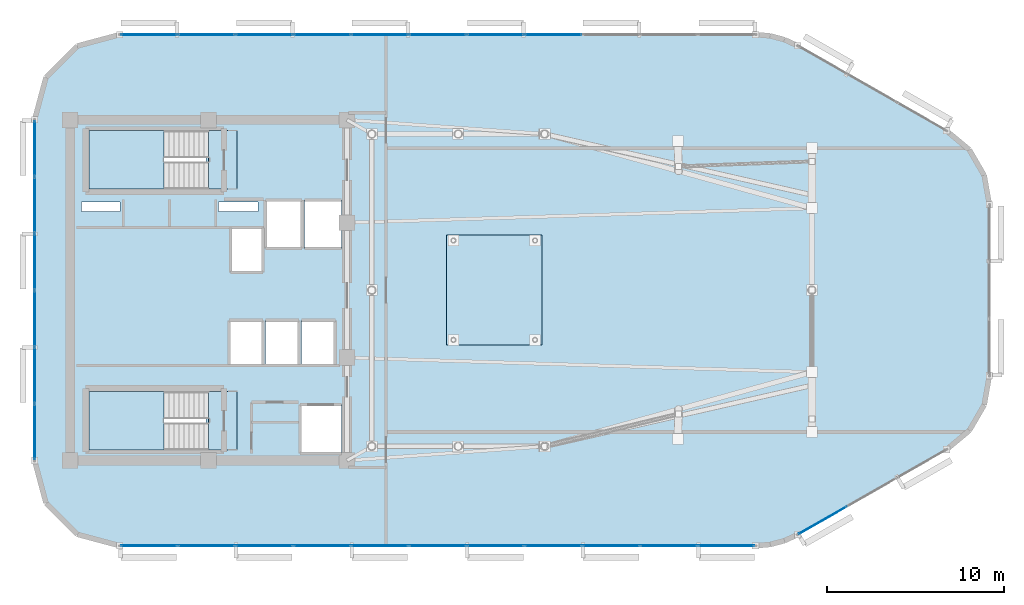
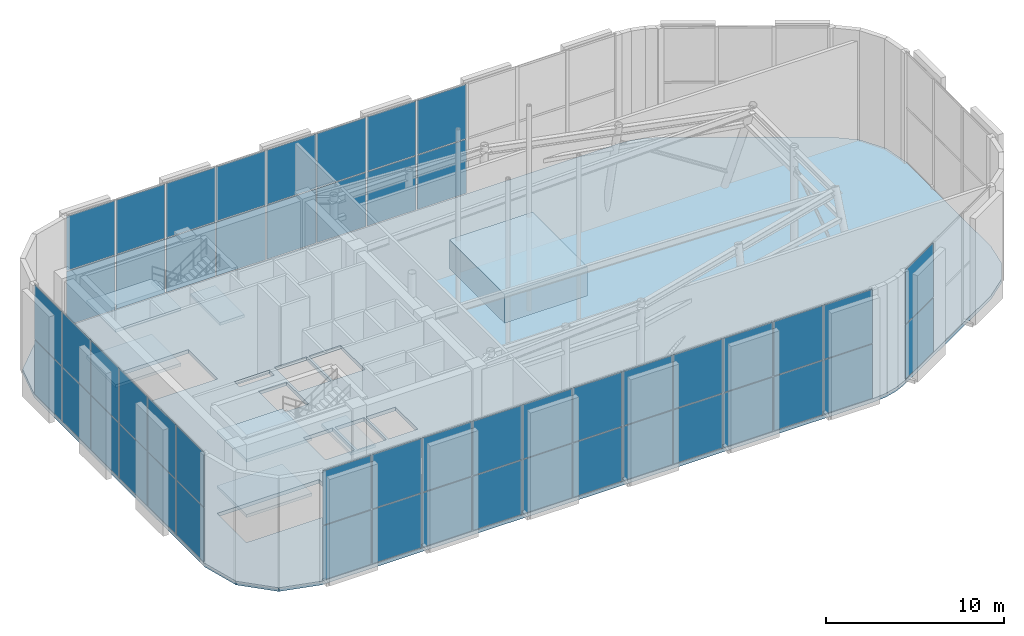
# One storey, part 17 of 22: 53 plates, 7 slabs, 6 elements without a shape of their own.
"""IFC4 building model written with IfcOpenShell, lengths in metres."""

from ifc_helpers import new_model, si_unit, direction, frame, origin, origin_2d, place, context, subcontext, project, spatial, polyline, rectangle, outline, extrude, material, layer, layer_set, type_object, element, aggregate, save


model = new_model("IFC4")

# Units and contexts
model_context = context("Model", 3, precision=1e-05, world=origin(), true_north=direction((0.0, 1.0)))
body_context = subcontext(model_context, "Body", "Model", "MODEL_VIEW")
ifc_project = project(units=[si_unit("LENGTHUNIT", "METRE"), si_unit("AREAUNIT", "SQUARE_METRE"), si_unit("VOLUMEUNIT", "CUBIC_METRE"), si_unit("PLANEANGLEUNIT", "RADIAN"), si_unit("MASSUNIT", "GRAM", prefix="KILO")], contexts=[model_context])

# Site, building, storey
site_placement = place(None, origin())
site = spatial("IfcSite", under=ifc_project, at=site_placement, CompositionType="ELEMENT")
building_placement = place(site_placement, origin())
building = spatial("IfcBuilding", under=site, at=building_placement, Name="An Khanh Terracotta Commons", CompositionType="ELEMENT")
storey_placement = place(building_placement, frame((0.0, 0.0, 300.39990234375)))
storey = spatial("IfcBuildingStorey", under=building, at=storey_placement, Name="L78 Crown Damper Chamber", CompositionType="ELEMENT", Elevation=300.39990234375)

# Curtain wall, plates
ifc_material_1 = material(Name="Anodised Aluminium 6063-T6", Category="aluminium")
ifc_layer_1 = layer(ifc_material_1, 0.25, Name="Anodised Aluminium 6063-T6")
ifc_layer_set_1 = layer_set([ifc_layer_1], Name="Anodised Aluminium 6063-T6")
curtain_wall_type = type_object("IfcCurtainWallType", Name="CW-SYS-05", PredefinedType="USERDEFINED", material=ifc_layer_set_1)
curtain_wall_1_placement = place(storey_placement, origin())
curtain_wall_1 = element("IfcCurtainWall", 1, at=curtain_wall_1_placement, inside=storey, type_object=curtain_wall_type, Name="L78 Crown Damper Chamber CW-05 Unitised Curtain Wall CW-L78-04", ObjectType="UNITISED CURTAIN WALL", PredefinedType="USERDEFINED")
ifc_material_2 = material(Name="Translucent Backlit Opal Insulated Glass", Category="glass")
ifc_layer_2 = layer(ifc_material_2, 0.0439453125, Name="Translucent Backlit Opal Insulated Glass")
ifc_layer_set_2 = layer_set([ifc_layer_2], Name="Translucent Backlit Opal Insulated Glass")
plate_type_1 = type_object("IfcPlateType", Name="CWP-OPAL-44", PredefinedType="CURTAIN_PANEL", material=ifc_layer_set_2)
plate_1_placement = place(storey_placement, frame((26.04833984375, 9.60009765625, 0.06005859375), z_axis=(0.0, 0.0, 1.0), x_axis=(1.0, 0.0, 0.0)))
plate_1 = element("IfcPlate", 2, at=plate_1_placement, type_object=plate_type_1, Name="CW-05 panel 1.1", PredefinedType="CURTAIN_PANEL", context=body_context, shape_type="SweptSolid", body=[
    extrude(rectangle(XDim=3.13671875, YDim=0.0439453125, at=origin_2d()), origin(), (0.0, 0.0, 1.0), 3.7099609375),
])
plate_2_placement = place(storey_placement, frame((26.04833984375, 9.60009765625, 3.830078125), z_axis=(0.0, 0.0, 1.0), x_axis=(1.0, 0.0, 0.0)))
plate_2 = element("IfcPlate", 3, at=plate_2_placement, type_object=plate_type_1, Name="CW-05 panel 1.2", PredefinedType="CURTAIN_PANEL", context=body_context, shape_type="SweptSolid", body=[
    extrude(rectangle(XDim=3.13671875, YDim=0.0439453125, at=origin_2d()), origin(), (0.0, 0.0, 1.0), 3.7099609375),
])
plate_3_placement = place(storey_placement, frame((29.28515625, 9.60009765625, 0.06005859375), z_axis=(0.0, 0.0, 1.0), x_axis=(1.0, 0.0, 0.0)))
plate_3 = element("IfcPlate", 4, at=plate_3_placement, type_object=plate_type_1, Name="CW-05 panel 2.1", PredefinedType="CURTAIN_PANEL", context=body_context, shape_type="SweptSolid", body=[
    extrude(rectangle(XDim=3.1767578125, YDim=0.0439453125, at=origin_2d()), origin(), (0.0, 0.0, 1.0), 3.7099609375),
])
plate_4_placement = place(storey_placement, frame((29.28515625, 9.60009765625, 3.830078125), z_axis=(0.0, 0.0, 1.0), x_axis=(1.0, 0.0, 0.0)))
plate_4 = element("IfcPlate", 5, at=plate_4_placement, type_object=plate_type_1, Name="CW-05 panel 2.2", PredefinedType="CURTAIN_PANEL", context=body_context, shape_type="SweptSolid", body=[
    extrude(rectangle(XDim=3.1767578125, YDim=0.0439453125, at=origin_2d()), origin(), (0.0, 0.0, 1.0), 3.7099609375),
])
plate_5_placement = place(storey_placement, frame((32.5419921875, 9.60009765625, 0.06005859375), z_axis=(0.0, 0.0, 1.0), x_axis=(1.0, 0.0, 0.0)))
plate_5 = element("IfcPlate", 6, at=plate_5_placement, type_object=plate_type_1, Name="CW-05 panel 3.1", PredefinedType="CURTAIN_PANEL", context=body_context, shape_type="SweptSolid", body=[
    extrude(rectangle(XDim=3.1767578125, YDim=0.0439453125, at=origin_2d()), origin(), (0.0, 0.0, 1.0), 3.7099609375),
])
plate_6_placement = place(storey_placement, frame((32.5419921875, 9.60009765625, 3.830078125), z_axis=(0.0, 0.0, 1.0), x_axis=(1.0, 0.0, 0.0)))
plate_6 = element("IfcPlate", 7, at=plate_6_placement, type_object=plate_type_1, Name="CW-05 panel 3.2", PredefinedType="CURTAIN_PANEL", context=body_context, shape_type="SweptSolid", body=[
    extrude(rectangle(XDim=3.1767578125, YDim=0.0439453125, at=origin_2d()), origin(), (0.0, 0.0, 1.0), 3.7099609375),
])
plate_7_placement = place(storey_placement, frame((35.798828125, 9.60009765625, 0.06005859375), z_axis=(0.0, 0.0, 1.0), x_axis=(1.0, 0.0, 0.0)))
plate_7 = element("IfcPlate", 8, at=plate_7_placement, type_object=plate_type_1, Name="CW-05 panel 4.1", PredefinedType="CURTAIN_PANEL", context=body_context, shape_type="SweptSolid", body=[
    extrude(rectangle(XDim=3.1767578125, YDim=0.0439453125, at=origin_2d()), origin(), (0.0, 0.0, 1.0), 3.7099609375),
])
plate_8_placement = place(storey_placement, frame((35.798828125, 9.60009765625, 3.830078125), z_axis=(0.0, 0.0, 1.0), x_axis=(1.0, 0.0, 0.0)))
plate_8 = element("IfcPlate", 9, at=plate_8_placement, type_object=plate_type_1, Name="CW-05 panel 4.2", PredefinedType="CURTAIN_PANEL", context=body_context, shape_type="SweptSolid", body=[
    extrude(rectangle(XDim=3.1767578125, YDim=0.0439453125, at=origin_2d()), origin(), (0.0, 0.0, 1.0), 3.7099609375),
])
plate_9_placement = place(storey_placement, frame((39.0556640625, 9.60009765625, 0.06005859375), z_axis=(0.0, 0.0, 1.0), x_axis=(1.0, 0.0, 0.0)))
plate_9 = element("IfcPlate", 10, at=plate_9_placement, type_object=plate_type_1, Name="CW-05 panel 5.1", PredefinedType="CURTAIN_PANEL", context=body_context, shape_type="SweptSolid", body=[
    extrude(rectangle(XDim=3.1767578125, YDim=0.0439453125, at=origin_2d()), origin(), (0.0, 0.0, 1.0), 3.7099609375),
])
plate_10_placement = place(storey_placement, frame((39.0556640625, 9.60009765625, 3.830078125), z_axis=(0.0, 0.0, 1.0), x_axis=(1.0, 0.0, 0.0)))
plate_10 = element("IfcPlate", 11, at=plate_10_placement, type_object=plate_type_1, Name="CW-05 panel 5.2", PredefinedType="CURTAIN_PANEL", context=body_context, shape_type="SweptSolid", body=[
    extrude(rectangle(XDim=3.1767578125, YDim=0.0439453125, at=origin_2d()), origin(), (0.0, 0.0, 1.0), 3.7099609375),
])
plate_11_placement = place(storey_placement, frame((42.3125, 9.60009765625, 0.06005859375), z_axis=(0.0, 0.0, 1.0), x_axis=(1.0, 0.0, 0.0)))
plate_11 = element("IfcPlate", 12, at=plate_11_placement, type_object=plate_type_1, Name="CW-05 panel 6.1", PredefinedType="CURTAIN_PANEL", context=body_context, shape_type="SweptSolid", body=[
    extrude(rectangle(XDim=3.1767578125, YDim=0.0439453125, at=origin_2d()), origin(), (0.0, 0.0, 1.0), 3.7099609375),
])
plate_12_placement = place(storey_placement, frame((42.3125, 9.60009765625, 3.830078125), z_axis=(0.0, 0.0, 1.0), x_axis=(1.0, 0.0, 0.0)))
plate_12 = element("IfcPlate", 13, at=plate_12_placement, type_object=plate_type_1, Name="CW-05 panel 6.2", PredefinedType="CURTAIN_PANEL", context=body_context, shape_type="SweptSolid", body=[
    extrude(rectangle(XDim=3.1767578125, YDim=0.0439453125, at=origin_2d()), origin(), (0.0, 0.0, 1.0), 3.7099609375),
])
plate_13_placement = place(storey_placement, frame((45.5693359375, 9.60009765625, 0.06005859375), z_axis=(0.0, 0.0, 1.0), x_axis=(1.0, 0.0, 0.0)))
plate_13 = element("IfcPlate", 14, at=plate_13_placement, type_object=plate_type_1, Name="CW-05 panel 7.1", PredefinedType="CURTAIN_PANEL", context=body_context, shape_type="SweptSolid", body=[
    extrude(rectangle(XDim=3.1767578125, YDim=0.0439453125, at=origin_2d()), origin(), (0.0, 0.0, 1.0), 3.7099609375),
])
plate_14_placement = place(storey_placement, frame((45.5693359375, 9.60009765625, 3.830078125), z_axis=(0.0, 0.0, 1.0), x_axis=(1.0, 0.0, 0.0)))
plate_14 = element("IfcPlate", 15, at=plate_14_placement, type_object=plate_type_1, Name="CW-05 panel 7.2", PredefinedType="CURTAIN_PANEL", context=body_context, shape_type="SweptSolid", body=[
    extrude(rectangle(XDim=3.1767578125, YDim=0.0439453125, at=origin_2d()), origin(), (0.0, 0.0, 1.0), 3.7099609375),
])
plate_15_placement = place(storey_placement, frame((48.826171875, 9.60009765625, 0.06005859375), z_axis=(0.0, 0.0, 1.0), x_axis=(1.0, 0.0, 0.0)))
plate_15 = element("IfcPlate", 16, at=plate_15_placement, type_object=plate_type_1, Name="CW-05 panel 8.1", PredefinedType="CURTAIN_PANEL", context=body_context, shape_type="SweptSolid", body=[
    extrude(rectangle(XDim=3.1767578125, YDim=0.0439453125, at=origin_2d()), origin(), (0.0, 0.0, 1.0), 3.7099609375),
])
plate_16_placement = place(storey_placement, frame((48.826171875, 9.60009765625, 3.830078125), z_axis=(0.0, 0.0, 1.0), x_axis=(1.0, 0.0, 0.0)))
plate_16 = element("IfcPlate", 17, at=plate_16_placement, type_object=plate_type_1, Name="CW-05 panel 8.2", PredefinedType="CURTAIN_PANEL", context=body_context, shape_type="SweptSolid", body=[
    extrude(rectangle(XDim=3.1767578125, YDim=0.0439453125, at=origin_2d()), origin(), (0.0, 0.0, 1.0), 3.7099609375),
])
plate_17_placement = place(storey_placement, frame((52.0830078125, 9.60009765625, 0.06005859375), z_axis=(0.0, 0.0, 1.0), x_axis=(1.0, 0.0, 0.0)))
plate_17 = element("IfcPlate", 18, at=plate_17_placement, type_object=plate_type_1, Name="CW-05 panel 9.1", PredefinedType="CURTAIN_PANEL", context=body_context, shape_type="SweptSolid", body=[
    extrude(rectangle(XDim=3.1767578125, YDim=0.0439453125, at=origin_2d()), origin(), (0.0, 0.0, 1.0), 3.7099609375),
])
plate_18_placement = place(storey_placement, frame((52.0830078125, 9.60009765625, 3.830078125), z_axis=(0.0, 0.0, 1.0), x_axis=(1.0, 0.0, 0.0)))
plate_18 = element("IfcPlate", 19, at=plate_18_placement, type_object=plate_type_1, Name="CW-05 panel 9.2", PredefinedType="CURTAIN_PANEL", context=body_context, shape_type="SweptSolid", body=[
    extrude(rectangle(XDim=3.1767578125, YDim=0.0439453125, at=origin_2d()), origin(), (0.0, 0.0, 1.0), 3.7099609375),
])
plate_19_placement = place(storey_placement, frame((55.33984375, 9.60009765625, 0.06005859375), z_axis=(0.0, 0.0, 1.0), x_axis=(1.0, 0.0, 0.0)))
plate_19 = element("IfcPlate", 20, at=plate_19_placement, type_object=plate_type_1, Name="CW-05 panel 10.1", PredefinedType="CURTAIN_PANEL", context=body_context, shape_type="SweptSolid", body=[
    extrude(rectangle(XDim=3.1767578125, YDim=0.0439453125, at=origin_2d()), origin(), (0.0, 0.0, 1.0), 3.7099609375),
])
plate_20_placement = place(storey_placement, frame((55.33984375, 9.60009765625, 3.830078125), z_axis=(0.0, 0.0, 1.0), x_axis=(1.0, 0.0, 0.0)))
plate_20 = element("IfcPlate", 21, at=plate_20_placement, type_object=plate_type_1, Name="CW-05 panel 10.2", PredefinedType="CURTAIN_PANEL", context=body_context, shape_type="SweptSolid", body=[
    extrude(rectangle(XDim=3.1767578125, YDim=0.0439453125, at=origin_2d()), origin(), (0.0, 0.0, 1.0), 3.7099609375),
])
plate_21_placement = place(storey_placement, frame((58.57666015625, 9.60009765625, 0.06005859375), z_axis=(0.0, 0.0, 1.0), x_axis=(1.0, 0.0, 0.0)))
plate_21 = element("IfcPlate", 22, at=plate_21_placement, type_object=plate_type_1, Name="CW-05 panel 11.1", PredefinedType="CURTAIN_PANEL", context=body_context, shape_type="SweptSolid", body=[
    extrude(rectangle(XDim=3.13671875, YDim=0.0439453125, at=origin_2d()), origin(), (0.0, 0.0, 1.0), 3.7099609375),
])
plate_22_placement = place(storey_placement, frame((58.57666015625, 9.60009765625, 3.830078125), z_axis=(0.0, 0.0, 1.0), x_axis=(1.0, 0.0, 0.0)))
plate_22 = element("IfcPlate", 23, at=plate_22_placement, type_object=plate_type_1, Name="CW-05 panel 11.2", PredefinedType="CURTAIN_PANEL", context=body_context, shape_type="SweptSolid", body=[
    extrude(rectangle(XDim=3.13671875, YDim=0.0439453125, at=origin_2d()), origin(), (0.0, 0.0, 1.0), 3.7099609375),
])
aggregate(curtain_wall_1, [plate_1, plate_2, plate_3, plate_4, plate_5, plate_6, plate_7, plate_8, plate_9, plate_10, plate_11, plate_12, plate_13, plate_14, plate_15, plate_16, plate_17, plate_18, plate_19, plate_20, plate_21, plate_22])

curtain_wall_2_placement = place(storey_placement, origin())
curtain_wall_2 = element("IfcCurtainWall", 24, at=curtain_wall_2_placement, inside=storey, type_object=curtain_wall_type, Name="L78 Crown Damper Chamber CW-05 Unitised Curtain Wall CW-L78-08", ObjectType="UNITISED CURTAIN WALL", PredefinedType="USERDEFINED")
plate_23_placement = place(storey_placement, frame((64.02001953125, 11.03955078125, 0.06005859375), z_axis=(0.0, 0.0, 1.0), x_axis=(0.868204858198, 0.496205929228, 0.0)))
plate_23 = element("IfcPlate", 25, at=plate_23_placement, type_object=plate_type_1, Name="CW-05 panel 1.1", PredefinedType="CURTAIN_PANEL", context=body_context, shape_type="SweptSolid", body=[
    extrude(rectangle(XDim=3.094970703125, YDim=0.0439453125, at=origin_2d()), origin(), (0.0, 0.0, 1.0), 3.7099609375),
])
plate_24_placement = place(storey_placement, frame((64.02001953125, 11.03955078125, 3.830078125), z_axis=(0.0, 0.0, 1.0), x_axis=(0.868204858198, 0.496205929228, 0.0)))
plate_24 = element("IfcPlate", 26, at=plate_24_placement, type_object=plate_type_1, Name="CW-05 panel 1.2", PredefinedType="CURTAIN_PANEL", context=body_context, shape_type="SweptSolid", body=[
    extrude(rectangle(XDim=3.094970703125, YDim=0.0439453125, at=origin_2d()), origin(), (0.0, 0.0, 1.0), 3.7099609375),
])
aggregate(curtain_wall_2, [plate_23, plate_24])

curtain_wall_3_placement = place(storey_placement, origin())
curtain_wall_3 = element("IfcCurtainWall", 27, at=curtain_wall_3_placement, inside=storey, type_object=curtain_wall_type, Name="L78 Crown Damper Chamber CW-05 Unitised Curtain Wall CW-L78-20", ObjectType="UNITISED CURTAIN WALL", PredefinedType="USERDEFINED")
plate_25_placement = place(storey_placement, frame((48.826171875, 38.39990234375, 0.06005859375), z_axis=(0.0, 0.0, 1.0), x_axis=(-1.0, 0.0, 0.0)))
plate_25 = element("IfcPlate", 28, at=plate_25_placement, type_object=plate_type_1, Name="CW-05 panel 4.1", PredefinedType="CURTAIN_PANEL", context=body_context, shape_type="SweptSolid", body=[
    extrude(rectangle(XDim=3.1767578125, YDim=0.0439453125, at=origin_2d()), origin(), (0.0, 0.0, 1.0), 3.7099609375),
])
plate_26_placement = place(storey_placement, frame((48.826171875, 38.39990234375, 3.830078125), z_axis=(0.0, 0.0, 1.0), x_axis=(-1.0, 0.0, 0.0)))
plate_26 = element("IfcPlate", 29, at=plate_26_placement, type_object=plate_type_1, Name="CW-05 panel 4.2", PredefinedType="CURTAIN_PANEL", context=body_context, shape_type="SweptSolid", body=[
    extrude(rectangle(XDim=3.1767578125, YDim=0.0439453125, at=origin_2d()), origin(), (0.0, 0.0, 1.0), 3.7099609375),
])
plate_27_placement = place(storey_placement, frame((45.5693359375, 38.39990234375, 0.06005859375), z_axis=(0.0, 0.0, 1.0), x_axis=(-1.0, 0.0, 0.0)))
plate_27 = element("IfcPlate", 30, at=plate_27_placement, type_object=plate_type_1, Name="CW-05 panel 5.1", PredefinedType="CURTAIN_PANEL", context=body_context, shape_type="SweptSolid", body=[
    extrude(rectangle(XDim=3.1767578125, YDim=0.0439453125, at=origin_2d()), origin(), (0.0, 0.0, 1.0), 3.7099609375),
])
plate_28_placement = place(storey_placement, frame((45.5693359375, 38.39990234375, 3.830078125), z_axis=(0.0, 0.0, 1.0), x_axis=(-1.0, 0.0, 0.0)))
plate_28 = element("IfcPlate", 31, at=plate_28_placement, type_object=plate_type_1, Name="CW-05 panel 5.2", PredefinedType="CURTAIN_PANEL", context=body_context, shape_type="SweptSolid", body=[
    extrude(rectangle(XDim=3.1767578125, YDim=0.0439453125, at=origin_2d()), origin(), (0.0, 0.0, 1.0), 3.7099609375),
])
plate_29_placement = place(storey_placement, frame((42.3125, 38.39990234375, 0.06005859375), z_axis=(0.0, 0.0, 1.0), x_axis=(-1.0, 0.0, 0.0)))
plate_29 = element("IfcPlate", 32, at=plate_29_placement, type_object=plate_type_1, Name="CW-05 panel 6.1", PredefinedType="CURTAIN_PANEL", context=body_context, shape_type="SweptSolid", body=[
    extrude(rectangle(XDim=3.1767578125, YDim=0.0439453125, at=origin_2d()), origin(), (0.0, 0.0, 1.0), 3.7099609375),
])
plate_30_placement = place(storey_placement, frame((42.3125, 38.39990234375, 3.830078125), z_axis=(0.0, 0.0, 1.0), x_axis=(-1.0, 0.0, 0.0)))
plate_30 = element("IfcPlate", 33, at=plate_30_placement, type_object=plate_type_1, Name="CW-05 panel 6.2", PredefinedType="CURTAIN_PANEL", context=body_context, shape_type="SweptSolid", body=[
    extrude(rectangle(XDim=3.1767578125, YDim=0.0439453125, at=origin_2d()), origin(), (0.0, 0.0, 1.0), 3.7099609375),
])
plate_31_placement = place(storey_placement, frame((39.0556640625, 38.39990234375, 0.06005859375), z_axis=(0.0, 0.0, 1.0), x_axis=(-1.0, 0.0, 0.0)))
plate_31 = element("IfcPlate", 34, at=plate_31_placement, type_object=plate_type_1, Name="CW-05 panel 7.1", PredefinedType="CURTAIN_PANEL", context=body_context, shape_type="SweptSolid", body=[
    extrude(rectangle(XDim=3.1767578125, YDim=0.0439453125, at=origin_2d()), origin(), (0.0, 0.0, 1.0), 3.7099609375),
])
plate_32_placement = place(storey_placement, frame((39.0556640625, 38.39990234375, 3.830078125), z_axis=(0.0, 0.0, 1.0), x_axis=(-1.0, 0.0, 0.0)))
plate_32 = element("IfcPlate", 35, at=plate_32_placement, type_object=plate_type_1, Name="CW-05 panel 7.2", PredefinedType="CURTAIN_PANEL", context=body_context, shape_type="SweptSolid", body=[
    extrude(rectangle(XDim=3.1767578125, YDim=0.0439453125, at=origin_2d()), origin(), (0.0, 0.0, 1.0), 3.7099609375),
])
plate_33_placement = place(storey_placement, frame((35.798828125, 38.39990234375, 0.06005859375), z_axis=(0.0, 0.0, 1.0), x_axis=(-1.0, 0.0, 0.0)))
plate_33 = element("IfcPlate", 36, at=plate_33_placement, type_object=plate_type_1, Name="CW-05 panel 8.1", PredefinedType="CURTAIN_PANEL", context=body_context, shape_type="SweptSolid", body=[
    extrude(rectangle(XDim=3.1767578125, YDim=0.0439453125, at=origin_2d()), origin(), (0.0, 0.0, 1.0), 3.7099609375),
])
plate_34_placement = place(storey_placement, frame((35.798828125, 38.39990234375, 3.830078125), z_axis=(0.0, 0.0, 1.0), x_axis=(-1.0, 0.0, 0.0)))
plate_34 = element("IfcPlate", 37, at=plate_34_placement, type_object=plate_type_1, Name="CW-05 panel 8.2", PredefinedType="CURTAIN_PANEL", context=body_context, shape_type="SweptSolid", body=[
    extrude(rectangle(XDim=3.1767578125, YDim=0.0439453125, at=origin_2d()), origin(), (0.0, 0.0, 1.0), 3.7099609375),
])
plate_35_placement = place(storey_placement, frame((32.5419921875, 38.39990234375, 0.06005859375), z_axis=(0.0, 0.0, 1.0), x_axis=(-1.0, 0.0, 0.0)))
plate_35 = element("IfcPlate", 38, at=plate_35_placement, type_object=plate_type_1, Name="CW-05 panel 9.1", PredefinedType="CURTAIN_PANEL", context=body_context, shape_type="SweptSolid", body=[
    extrude(rectangle(XDim=3.1767578125, YDim=0.0439453125, at=origin_2d()), origin(), (0.0, 0.0, 1.0), 3.7099609375),
])
plate_36_placement = place(storey_placement, frame((32.5419921875, 38.39990234375, 3.830078125), z_axis=(0.0, 0.0, 1.0), x_axis=(-1.0, 0.0, 0.0)))
plate_36 = element("IfcPlate", 39, at=plate_36_placement, type_object=plate_type_1, Name="CW-05 panel 9.2", PredefinedType="CURTAIN_PANEL", context=body_context, shape_type="SweptSolid", body=[
    extrude(rectangle(XDim=3.1767578125, YDim=0.0439453125, at=origin_2d()), origin(), (0.0, 0.0, 1.0), 3.7099609375),
])
plate_37_placement = place(storey_placement, frame((29.28515625, 38.39990234375, 0.06005859375), z_axis=(0.0, 0.0, 1.0), x_axis=(-1.0, 0.0, 0.0)))
plate_37 = element("IfcPlate", 40, at=plate_37_placement, type_object=plate_type_1, Name="CW-05 panel 10.1", PredefinedType="CURTAIN_PANEL", context=body_context, shape_type="SweptSolid", body=[
    extrude(rectangle(XDim=3.1767578125, YDim=0.0439453125, at=origin_2d()), origin(), (0.0, 0.0, 1.0), 3.7099609375),
])
plate_38_placement = place(storey_placement, frame((29.28515625, 38.39990234375, 3.830078125), z_axis=(0.0, 0.0, 1.0), x_axis=(-1.0, 0.0, 0.0)))
plate_38 = element("IfcPlate", 41, at=plate_38_placement, type_object=plate_type_1, Name="CW-05 panel 10.2", PredefinedType="CURTAIN_PANEL", context=body_context, shape_type="SweptSolid", body=[
    extrude(rectangle(XDim=3.1767578125, YDim=0.0439453125, at=origin_2d()), origin(), (0.0, 0.0, 1.0), 3.7099609375),
])
plate_39_placement = place(storey_placement, frame((26.04833984375, 38.39990234375, 0.06005859375), z_axis=(0.0, 0.0, 1.0), x_axis=(-1.0, 0.0, 0.0)))
plate_39 = element("IfcPlate", 42, at=plate_39_placement, type_object=plate_type_1, Name="CW-05 panel 11.1", PredefinedType="CURTAIN_PANEL", context=body_context, shape_type="SweptSolid", body=[
    extrude(rectangle(XDim=3.13671875, YDim=0.0439453125, at=origin_2d()), origin(), (0.0, 0.0, 1.0), 3.7099609375),
])
plate_40_placement = place(storey_placement, frame((26.04833984375, 38.39990234375, 3.830078125), z_axis=(0.0, 0.0, 1.0), x_axis=(-1.0, 0.0, 0.0)))
plate_40 = element("IfcPlate", 43, at=plate_40_placement, type_object=plate_type_1, Name="CW-05 panel 11.2", PredefinedType="CURTAIN_PANEL", context=body_context, shape_type="SweptSolid", body=[
    extrude(rectangle(XDim=3.13671875, YDim=0.0439453125, at=origin_2d()), origin(), (0.0, 0.0, 1.0), 3.7099609375),
])
aggregate(curtain_wall_3, [plate_25, plate_26, plate_27, plate_28, plate_29, plate_30, plate_31, plate_32, plate_33, plate_34, plate_35, plate_36, plate_37, plate_38, plate_39, plate_40])

curtain_wall_4_placement = place(storey_placement, origin())
curtain_wall_4 = element("IfcCurtainWall", 44, at=curtain_wall_4_placement, inside=storey, type_object=curtain_wall_type, Name="L78 Crown Damper Chamber CW-05 Unitised Curtain Wall CW-L78-24", ObjectType="UNITISED CURTAIN WALL", PredefinedType="USERDEFINED")
plate_41_placement = place(storey_placement, frame((19.60009765625, 31.97998046875, 0.06005859375), z_axis=(0.0, 0.0, 1.0), x_axis=(0.0, -1.0, 0.0)))
plate_41 = element("IfcPlate", 45, at=plate_41_placement, type_object=plate_type_1, Name="CW-05 panel 1.1", PredefinedType="CURTAIN_PANEL", context=body_context, shape_type="SweptSolid", body=[
    extrude(rectangle(XDim=3.080078125, YDim=0.0439453125, at=origin_2d()), origin(), (0.0, 0.0, 1.0), 3.7099609375),
])
plate_42_placement = place(storey_placement, frame((19.60009765625, 31.97998046875, 3.830078125), z_axis=(0.0, 0.0, 1.0), x_axis=(0.0, -1.0, 0.0)))
plate_42 = element("IfcPlate", 46, at=plate_42_placement, type_object=plate_type_1, Name="CW-05 panel 1.2", PredefinedType="CURTAIN_PANEL", context=body_context, shape_type="SweptSolid", body=[
    extrude(rectangle(XDim=3.080078125, YDim=0.0439453125, at=origin_2d()), origin(), (0.0, 0.0, 1.0), 3.7099609375),
])
plate_43_placement = place(storey_placement, frame((19.60009765625, 28.800048828125, 0.06005859375), z_axis=(0.0, 0.0, 1.0), x_axis=(0.0, -1.0, 0.0)))
plate_43 = element("IfcPlate", 47, at=plate_43_placement, type_object=plate_type_1, Name="CW-05 panel 2.1", PredefinedType="CURTAIN_PANEL", context=body_context, shape_type="SweptSolid", body=[
    extrude(rectangle(XDim=3.1201171875, YDim=0.0439453125, at=origin_2d()), origin(), (0.0, 0.0, 1.0), 3.7099609375),
])
plate_44_placement = place(storey_placement, frame((19.60009765625, 28.800048828125, 3.830078125), z_axis=(0.0, 0.0, 1.0), x_axis=(0.0, -1.0, 0.0)))
plate_44 = element("IfcPlate", 48, at=plate_44_placement, type_object=plate_type_1, Name="CW-05 panel 2.2", PredefinedType="CURTAIN_PANEL", context=body_context, shape_type="SweptSolid", body=[
    extrude(rectangle(XDim=3.1201171875, YDim=0.0439453125, at=origin_2d()), origin(), (0.0, 0.0, 1.0), 3.7099609375),
])
plate_45_placement = place(storey_placement, frame((19.60009765625, 25.60009765625, 0.06005859375), z_axis=(0.0, 0.0, 1.0), x_axis=(0.0, -1.0, 0.0)))
plate_45 = element("IfcPlate", 49, at=plate_45_placement, type_object=plate_type_1, Name="CW-05 panel 3.1", PredefinedType="CURTAIN_PANEL", context=body_context, shape_type="SweptSolid", body=[
    extrude(rectangle(XDim=3.1201171875, YDim=0.0439453125, at=origin_2d()), origin(), (0.0, 0.0, 1.0), 3.7099609375),
])
plate_46_placement = place(storey_placement, frame((19.60009765625, 25.60009765625, 3.830078125), z_axis=(0.0, 0.0, 1.0), x_axis=(0.0, -1.0, 0.0)))
plate_46 = element("IfcPlate", 50, at=plate_46_placement, type_object=plate_type_1, Name="CW-05 panel 3.2", PredefinedType="CURTAIN_PANEL", context=body_context, shape_type="SweptSolid", body=[
    extrude(rectangle(XDim=3.1201171875, YDim=0.0439453125, at=origin_2d()), origin(), (0.0, 0.0, 1.0), 3.7099609375),
])
plate_47_placement = place(storey_placement, frame((19.60009765625, 22.39990234375, 0.06005859375), z_axis=(0.0, 0.0, 1.0), x_axis=(0.0, -1.0, 0.0)))
plate_47 = element("IfcPlate", 51, at=plate_47_placement, type_object=plate_type_1, Name="CW-05 panel 4.1", PredefinedType="CURTAIN_PANEL", context=body_context, shape_type="SweptSolid", body=[
    extrude(rectangle(XDim=3.1201171875, YDim=0.0439453125, at=origin_2d()), origin(), (0.0, 0.0, 1.0), 3.7099609375),
])
plate_48_placement = place(storey_placement, frame((19.60009765625, 22.39990234375, 3.830078125), z_axis=(0.0, 0.0, 1.0), x_axis=(0.0, -1.0, 0.0)))
plate_48 = element("IfcPlate", 52, at=plate_48_placement, type_object=plate_type_1, Name="CW-05 panel 4.2", PredefinedType="CURTAIN_PANEL", context=body_context, shape_type="SweptSolid", body=[
    extrude(rectangle(XDim=3.1201171875, YDim=0.0439453125, at=origin_2d()), origin(), (0.0, 0.0, 1.0), 3.7099609375),
])
plate_49_placement = place(storey_placement, frame((19.60009765625, 19.199951171875, 0.06005859375), z_axis=(0.0, 0.0, 1.0), x_axis=(0.0, -1.0, 0.0)))
plate_49 = element("IfcPlate", 53, at=plate_49_placement, type_object=plate_type_1, Name="CW-05 panel 5.1", PredefinedType="CURTAIN_PANEL", context=body_context, shape_type="SweptSolid", body=[
    extrude(rectangle(XDim=3.1201171875, YDim=0.0439453125, at=origin_2d()), origin(), (0.0, 0.0, 1.0), 3.7099609375),
])
plate_50_placement = place(storey_placement, frame((19.60009765625, 19.199951171875, 3.830078125), z_axis=(0.0, 0.0, 1.0), x_axis=(0.0, -1.0, 0.0)))
plate_50 = element("IfcPlate", 54, at=plate_50_placement, type_object=plate_type_1, Name="CW-05 panel 5.2", PredefinedType="CURTAIN_PANEL", context=body_context, shape_type="SweptSolid", body=[
    extrude(rectangle(XDim=3.1201171875, YDim=0.0439453125, at=origin_2d()), origin(), (0.0, 0.0, 1.0), 3.7099609375),
])
plate_51_placement = place(storey_placement, frame((19.60009765625, 16.02001953125, 0.06005859375), z_axis=(0.0, 0.0, 1.0), x_axis=(0.0, -1.0, 0.0)))
plate_51 = element("IfcPlate", 55, at=plate_51_placement, type_object=plate_type_1, Name="CW-05 panel 6.1", PredefinedType="CURTAIN_PANEL", context=body_context, shape_type="SweptSolid", body=[
    extrude(rectangle(XDim=3.080078125, YDim=0.0439453125, at=origin_2d()), origin(), (0.0, 0.0, 1.0), 3.7099609375),
])
plate_52_placement = place(storey_placement, frame((19.60009765625, 16.02001953125, 3.830078125), z_axis=(0.0, 0.0, 1.0), x_axis=(0.0, -1.0, 0.0)))
plate_52 = element("IfcPlate", 56, at=plate_52_placement, type_object=plate_type_1, Name="CW-05 panel 6.2", PredefinedType="CURTAIN_PANEL", context=body_context, shape_type="SweptSolid", body=[
    extrude(rectangle(XDim=3.080078125, YDim=0.0439453125, at=origin_2d()), origin(), (0.0, 0.0, 1.0), 3.7099609375),
])
aggregate(curtain_wall_4, [plate_41, plate_42, plate_43, plate_44, plate_45, plate_46, plate_47, plate_48, plate_49, plate_50, plate_51, plate_52])

# Plate
ifc_material_3 = material(Name="Steel S460ML", Category="steel")
ifc_layer_3 = layer(ifc_material_3, 0.050048828125, Name="Steel S460ML")
ifc_layer_set_3 = layer_set([ifc_layer_3], Name="Steel S460ML")
plate_type_2 = type_object("IfcPlateType", Name="PLATE-GUSSET-50", PredefinedType="USERDEFINED", material=ifc_layer_set_3)
plate_53_placement = place(storey_placement, frame((45.5, 24.0, 4.400146484375), z_axis=(0.0, 0.0, 1.0), x_axis=(1.0, 0.0, 0.0)))
element("IfcPlate", 57, at=plate_53_placement, inside=storey, type_object=plate_type_2, Name="600-Tonne Pendulum Tuned Mass Damper Steel Mass Assembly", ObjectType="FLANGE_PLATE", PredefinedType="USERDEFINED", context=body_context, shape_type="SweptSolid", body=[
    extrude(rectangle(XDim=5.39990234375, YDim=6.199951171875, at=origin_2d()), origin(), (0.0, 0.0, 1.0), 2.0),
])

# Slab
ifc_material_4 = material(Name="Concrete C40/50", Category="concrete")
ifc_layer_4 = layer(ifc_material_4, 0.25, Name="Concrete C40/50")
ifc_layer_set_4 = layer_set([ifc_layer_4], Name="Concrete C40/50")
slab_type_1 = type_object("IfcSlabType", Name="SLAB-B01-250", PredefinedType="FLOOR", material=ifc_layer_set_4)
slab_1_placement = place(storey_placement, frame((0.0, 0.0, -0.25)))
element("IfcSlab", 58, at=slab_1_placement, inside=storey, type_object=slab_type_1, Name="L78 Crown Damper Chamber Structural Floor Slab", PredefinedType="FLOOR", context=body_context, shape_type="SweptSolid", body=[
    extrude(outline(polyline([(19.60009765625, 14.39990234375), (20.242919921875, 12.0), (22.0, 10.242919921875), (24.39990234375, 9.60009765625), (60.22509765625, 9.60009765625), (61.052001953125, 9.672119140625), (61.85400390625, 9.885009765625), (62.60693359375, 10.23193359375), (70.98095703125, 15.01806640625), (72.26806640625, 16.089111328125), (73.10791015625, 17.537109375), (73.39990234375, 19.18603515625), (73.39990234375, 28.81396484375), (73.10791015625, 30.462890625), (72.26806640625, 31.910888671875), (70.98095703125, 32.98193359375), (62.60693359375, 37.76806640625), (61.85400390625, 38.114990234375), (61.052001953125, 38.327880859375), (60.22509765625, 38.39990234375), (24.39990234375, 38.39990234375), (22.0, 37.757080078125), (20.242919921875, 36.0), (19.60009765625, 33.60009765625), (19.60009765625, 14.39990234375)]), holes=[polyline([(22.64990234375, 29.699951171875), (29.27001953125, 29.699951171875), (29.27001953125, 33.0), (22.64990234375, 33.0), (22.64990234375, 29.699951171875)]), polyline([(22.64990234375, 15.0), (29.27001953125, 15.0), (29.27001953125, 18.300048828125), (22.64990234375, 18.300048828125), (22.64990234375, 15.0)]), polyline([(32.60009765625, 26.35009765625), (34.679931640625, 26.35009765625), (34.679931640625, 29.080078125), (32.60009765625, 29.080078125), (32.60009765625, 26.35009765625)]), polyline([(34.820068359375, 26.35009765625), (36.89990234375, 26.35009765625), (36.89990234375, 29.080078125), (34.820068359375, 29.080078125), (34.820068359375, 26.35009765625)]), polyline([(34.550048828125, 14.800048828125), (36.89990234375, 14.800048828125), (36.89990234375, 17.550048828125), (34.550048828125, 17.550048828125), (34.550048828125, 14.800048828125)]), polyline([(30.639892578125, 25.0), (32.4599609375, 25.0), (32.4599609375, 27.5), (30.639892578125, 27.5), (30.639892578125, 25.0)]), polyline([(30.56005859375, 19.800048828125), (32.4599609375, 19.800048828125), (32.4599609375, 22.300048828125), (30.56005859375, 22.300048828125), (30.56005859375, 19.800048828125)]), polyline([(32.60009765625, 19.800048828125), (34.5, 19.800048828125), (34.5, 22.300048828125), (32.60009765625, 22.300048828125), (32.60009765625, 19.800048828125)]), polyline([(34.639892578125, 19.800048828125), (36.5400390625, 19.800048828125), (36.5400390625, 22.300048828125), (34.639892578125, 22.300048828125), (34.639892578125, 19.800048828125)]), polyline([(22.25, 28.419921875), (24.39990234375, 28.419921875), (24.39990234375, 28.97998046875), (22.25, 28.97998046875), (22.25, 28.419921875)]), polyline([(29.949951171875, 28.419921875), (32.199951171875, 28.419921875), (32.199951171875, 28.97998046875), (29.949951171875, 28.97998046875), (29.949951171875, 28.419921875)])]), origin(), (0.0, 0.0, 1.0), 0.25),
])

# Stair, slabs
ifc_material_5 = material(Name="Precast concrete C40/50", Category="concrete")
stair_type = type_object("IfcStairType", Name="STAIR-CORE-1550", PredefinedType="HALF_TURN_STAIR", material=ifc_material_5)
stair_1_placement = place(storey_placement, origin())
stair_1 = element("IfcStair", 59, at=stair_1_placement, inside=storey, type_object=stair_type, Name="L78 Crown Damper Chamber Core Smokeproof Exit Stair ST-01", PredefinedType="HALF_TURN_STAIR")
ifc_layer_5 = layer(ifc_material_4, 0.18994140625, Name="Concrete C40/50")
ifc_layer_set_5 = layer_set([ifc_layer_5], Name="Concrete C40/50")
slab_type_2 = type_object("IfcSlabType", Name="SLAB-LANDING-190", PredefinedType="LANDING", material=ifc_layer_set_5)
slab_2_placement = place(storey_placement, frame((0.0, 0.0, 1.7001953125)))
slab_2 = element("IfcSlab", 60, at=slab_2_placement, type_object=slab_type_2, Name="ST-01 landing 1", PredefinedType="LANDING", context=body_context, shape_type="SweptSolid", body=[
    extrude(outline(polyline([(26.889892578125, 33.0), (22.64990234375, 33.0), (22.64990234375, 29.699951171875), (26.889892578125, 29.699951171875), (26.889892578125, 33.0)])), origin(), (0.0, 0.0, 1.0), 0.199951171875),
])
slab_3_placement = place(storey_placement, frame((0.0, 0.0, 3.60009765625)))
slab_3 = element("IfcSlab", 61, at=slab_3_placement, type_object=slab_type_2, Name="ST-01 landing 2", PredefinedType="LANDING", context=body_context, shape_type="SweptSolid", body=[
    extrude(outline(polyline([(31.010009765625, 33.0), (29.409912109375, 33.0), (29.409912109375, 29.699951171875), (31.010009765625, 29.699951171875), (31.010009765625, 33.0)])), origin(), (0.0, 0.0, 1.0), 0.199951171875),
])
slab_4_placement = place(storey_placement, frame((0.0, 0.0, 5.5)))
slab_4 = element("IfcSlab", 62, at=slab_4_placement, type_object=slab_type_2, Name="ST-01 landing 3", PredefinedType="LANDING", context=body_context, shape_type="SweptSolid", body=[
    extrude(outline(polyline([(26.889892578125, 33.0), (22.64990234375, 33.0), (22.64990234375, 29.699951171875), (26.889892578125, 29.699951171875), (26.889892578125, 33.0)])), origin(), (0.0, 0.0, 1.0), 0.2001953125),
])
aggregate(stair_1, [slab_2, slab_3, slab_4])

stair_2_placement = place(storey_placement, origin())
stair_2 = element("IfcStair", 63, at=stair_2_placement, inside=storey, type_object=stair_type, Name="L78 Crown Damper Chamber Core Smokeproof Exit Stair ST-02", PredefinedType="HALF_TURN_STAIR")
slab_5_placement = place(storey_placement, frame((0.0, 0.0, 1.7001953125)))
slab_5 = element("IfcSlab", 64, at=slab_5_placement, type_object=slab_type_2, Name="ST-02 landing 1", PredefinedType="LANDING", context=body_context, shape_type="SweptSolid", body=[
    extrude(outline(polyline([(26.889892578125, 18.300048828125), (22.64990234375, 18.300048828125), (22.64990234375, 15.0), (26.889892578125, 15.0), (26.889892578125, 18.300048828125)])), origin(), (0.0, 0.0, 1.0), 0.199951171875),
])
slab_6_placement = place(storey_placement, frame((0.0, 0.0, 3.60009765625)))
slab_6 = element("IfcSlab", 65, at=slab_6_placement, type_object=slab_type_2, Name="ST-02 landing 2", PredefinedType="LANDING", context=body_context, shape_type="SweptSolid", body=[
    extrude(outline(polyline([(31.010009765625, 18.300048828125), (29.409912109375, 18.300048828125), (29.409912109375, 15.0), (31.010009765625, 15.0), (31.010009765625, 18.300048828125)])), origin(), (0.0, 0.0, 1.0), 0.199951171875),
])
slab_7_placement = place(storey_placement, frame((0.0, 0.0, 5.5)))
slab_7 = element("IfcSlab", 66, at=slab_7_placement, type_object=slab_type_2, Name="ST-02 landing 3", PredefinedType="LANDING", context=body_context, shape_type="SweptSolid", body=[
    extrude(outline(polyline([(26.889892578125, 18.300048828125), (22.64990234375, 18.300048828125), (22.64990234375, 15.0), (26.889892578125, 15.0), (26.889892578125, 18.300048828125)])), origin(), (0.0, 0.0, 1.0), 0.2001953125),
])
aggregate(stair_2, [slab_5, slab_6, slab_7])

save(model, "model.ifc")
